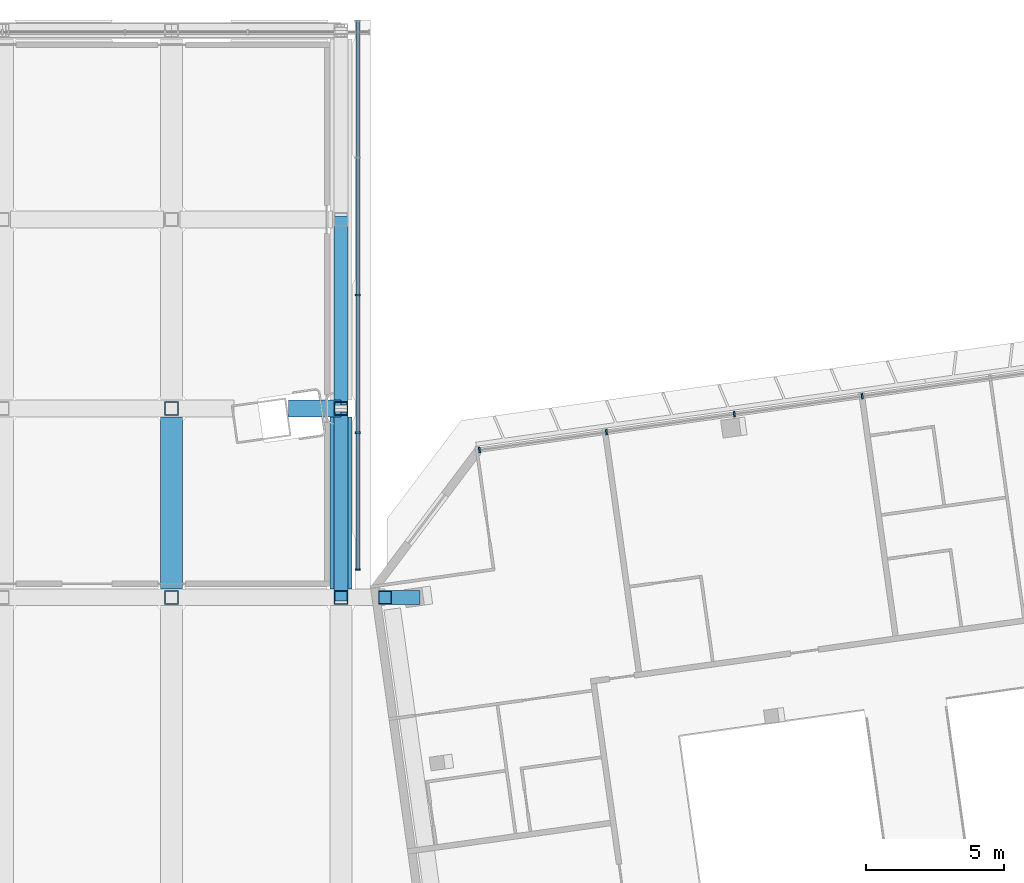
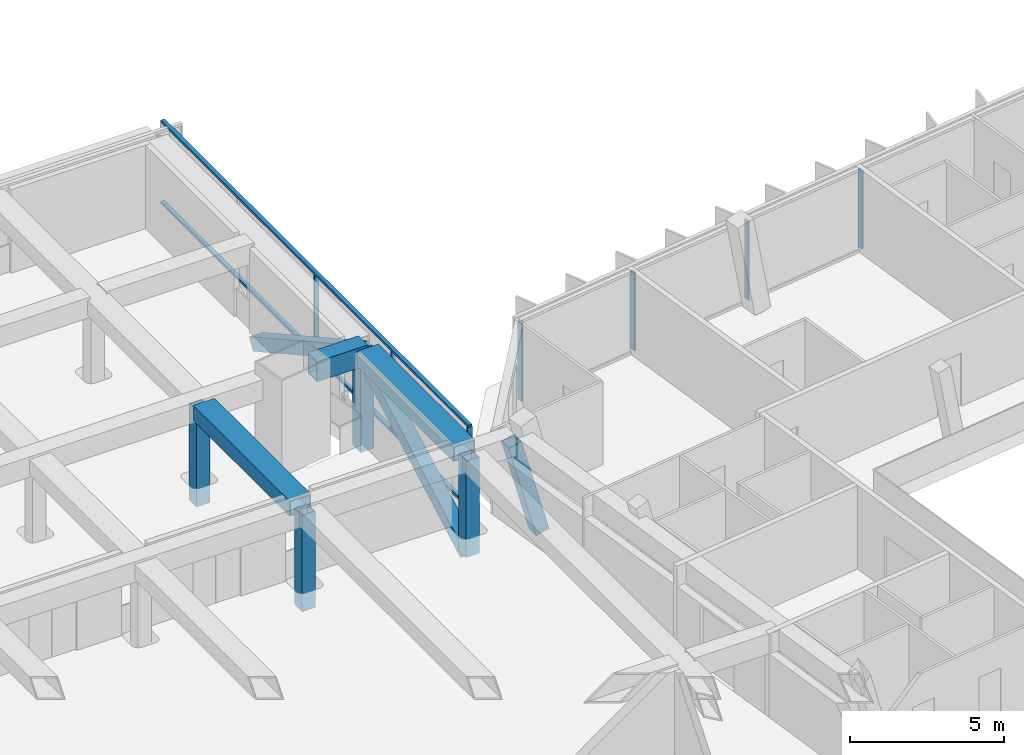
# One storey, part 9 of 28: 19 members, 2 elements without a shape of their own.
"""IFC4 building model written with IfcOpenShell, lengths in metres."""

import ifcopenshell
import ifcopenshell.guid

model = None  # the IFC model being written
_history = None  # IfcOwnerHistory: only IFC2X3 demands one
_inside = {}  # id of a spatial element -> (the spatial element, [elements in it])
_under = {}  # id of a project, library or spatial element -> (it, [spatial elements below it])
_declared = {}  # id of a project -> (the project, [libraries it declares])
_typed = {}  # id of a type object -> (the type object, [elements of that type])
_made_of = {}  # id of a material, layer set ... -> (it, [elements and type objects made of it])


def new_model(schema):
    """Start an empty IFC model of exactly this schema.

    Asked for "IFC4X3", IfcOpenShell would pick the latest addendum, in which some entities
    have other attributes; the version numbers below select the first issue.
    IFC2X3 requires an IfcOwnerHistory on every rooted entity: one is made here for all.
    """
    global model, _history
    if schema == "IFC4X3":
        model = ifcopenshell.file(schema_version=(4, 3, 0, 0))
    else:
        model = ifcopenshell.file(schema=schema)
    _inside.clear()
    _under.clear()
    _declared.clear()
    _typed.clear()
    _made_of.clear()
    _history = None
    if model.schema == "IFC2X3":
        org = make("IfcOrganization", Name="unknown")
        user = make(
            "IfcPersonAndOrganization",
            ThePerson=make("IfcPerson", FamilyName="unknown"),
            TheOrganization=org,
        )
        app = make(
            "IfcApplication",
            ApplicationDeveloper=org,
            Version="unknown",
            ApplicationFullName="unknown",
            ApplicationIdentifier="unknown",
        )
        _history = make(
            "IfcOwnerHistory",
            OwningUser=user,
            OwningApplication=app,
            ChangeAction="ADDED",
            CreationDate=0,
        )
    return model


def make(cls, **values):
    """One entity of the class cls with the attributes given. An attribute that is None is left unset."""
    return model.create_entity(
        cls, **{name: value for name, value in values.items() if value is not None}
    )


def rooted(cls, **values):
    """An entity with a GlobalId (a new one), such as an element, a storey or a relation."""
    return make(cls, GlobalId=ifcopenshell.guid.new(), OwnerHistory=_history, **values)


def si_unit(unit_type, name, prefix=None):
    """IfcSIUnit, for example si_unit("LENGTHUNIT", "METRE", prefix="MILLI")."""
    return make("IfcSIUnit", UnitType=unit_type, Prefix=prefix, Name=name)


def assignment(units):
    """IfcUnitAssignment: the units of a project."""
    return None if units is None else make("IfcUnitAssignment", Units=units)


def point(xyz):
    """IfcCartesianPoint."""
    return None if xyz is None else make("IfcCartesianPoint", Coordinates=xyz)


def direction(xyz):
    """IfcDirection."""
    return None if xyz is None else make("IfcDirection", DirectionRatios=xyz)


def frame(location, z_axis=None, x_axis=None):
    """IfcAxis2Placement3D, a coordinate frame: its origin and axes. An axis left out is left unset."""
    return make(
        "IfcAxis2Placement3D",
        Location=point(location),
        Axis=direction(z_axis),
        RefDirection=direction(x_axis),
    )


def frame_2d(location, x_axis=None):
    """IfcAxis2Placement2D, a coordinate frame in the plane: its origin and x axis."""
    return make(
        "IfcAxis2Placement2D", Location=point(location), RefDirection=direction(x_axis)
    )


def origin():
    """The frame at (0, 0, 0) with its axes left unset."""
    return frame((0.0, 0.0, 0.0))


def origin_2d():
    """The frame at (0, 0) in the plane with its x axis left unset."""
    return frame_2d((0.0, 0.0))


def place(relative_to, where):
    """IfcLocalPlacement: puts the frame where relative to a parent placement (None: the world)."""
    return make(
        "IfcLocalPlacement", PlacementRelTo=relative_to, RelativePlacement=where
    )


def context(
    kind, dimensions, precision=None, world=None, true_north=None, identifier=None
):
    """IfcGeometricRepresentationContext, for example the 3D "Model" context."""
    return make(
        "IfcGeometricRepresentationContext",
        ContextIdentifier=identifier,
        ContextType=kind,
        CoordinateSpaceDimension=dimensions,
        Precision=precision,
        WorldCoordinateSystem=world,
        TrueNorth=true_north,
    )


def subcontext(parent, identifier, kind, view, scale=None):
    """IfcGeometricRepresentationSubContext, for example "Body" below "Model"."""
    return make(
        "IfcGeometricRepresentationSubContext",
        ContextIdentifier=identifier,
        ContextType=kind,
        ParentContext=parent,
        TargetScale=scale,
        TargetView=view,
    )


def project(units=None, contexts=None):
    """IfcProject with its units and contexts."""
    return rooted(
        "IfcProject",
        Name="project",
        RepresentationContexts=contexts,
        UnitsInContext=assignment(units),
    )


def spatial(cls, under=None, at=None, **own):
    """A site, building, storey or space (cls), placed at a placement, below another one or the project."""
    s = rooted(cls, ObjectPlacement=at, **own)
    if under is not None:
        _under.setdefault(under.id(), (under, []))[1].append(s)
    return s


def profile(cls, at=None, kind="AREA", **sizes):
    """A parametric profile (cls). Its sizes go by their IFC names, for example OverallWidth=200.0."""
    return make(cls, ProfileType=kind, Position=at, **sizes)


def rectangle(**sizes):
    """IfcRectangleProfileDef."""
    return profile("IfcRectangleProfileDef", **sizes)


def hollow_rectangle(**sizes):
    """IfcRectangleHollowProfileDef."""
    return profile("IfcRectangleHollowProfileDef", **sizes)


def extrude(swept, where, along, depth):
    """IfcExtrudedAreaSolid: the profile swept, set in the frame where, extruded along a direction by depth."""
    return make(
        "IfcExtrudedAreaSolid",
        SweptArea=swept,
        Position=where,
        ExtrudedDirection=direction(along),
        Depth=depth,
    )


def shape(context_of_items, identifier, shape_type, items):
    """IfcShapeRepresentation: the items that make up one representation, for example the "Body"."""
    return make(
        "IfcShapeRepresentation",
        ContextOfItems=context_of_items,
        RepresentationIdentifier=identifier,
        RepresentationType=shape_type,
        Items=items,
    )


def material(Name=None, Category=None):
    """IfcMaterial."""
    return make("IfcMaterial", Name=Name, Category=Category)


def material_profile(
    of_material, cross_section, Name=None, Category=None, Priority=None
):
    """IfcMaterialProfile: a cross section and its material."""
    return make(
        "IfcMaterialProfile",
        Name=Name,
        Material=of_material,
        Profile=cross_section,
        Priority=Priority,
        Category=Category,
    )


def profile_set(profiles, Name=None, composite=None):
    """IfcMaterialProfileSet."""
    return make(
        "IfcMaterialProfileSet",
        Name=Name,
        MaterialProfiles=profiles,
        CompositeProfile=composite,
    )


def made_of(thing, what):
    """Note that an element or type object is made of a material, layer set ...; save() writes the relation."""
    if what is not None:
        _made_of.setdefault(what.id(), (what, []))[1].append(thing)
    return thing


def type_object(cls, material=None, **own):
    """A type object (cls), such as IfcWallType, which elements share."""
    return made_of(rooted(cls, **own), material)


def element(
    cls,
    number,
    at=None,
    inside=None,
    cuts=None,
    type_object=None,
    material=None,
    context=None,
    identifier="Body",
    shape_type=None,
    held_by="IfcProductDefinitionShape",
    body=None,
    shapes=None,
    **own,
):
    """One element of the class cls, such as IfcWall. Its Tag is "e" and its number.

    at: its placement. inside: the storey or other place that contains it. cuts: it is an
    opening in that element (IfcRelVoidsElement). A single representation is given by context,
    identifier, shape_type and body (its items); several are given by shapes. held_by: the class
    of the entity that holds the representations. save() writes the other relations.
    """
    e = rooted(cls, Tag="e%d" % number, ObjectPlacement=at, **own)
    if body is not None:
        shapes = [shape(context, identifier, shape_type, body)]
    if shapes is not None:
        e.Representation = make(held_by, Representations=shapes)
    if inside is not None:
        _inside.setdefault(inside.id(), (inside, []))[1].append(e)
    if cuts is not None:
        rooted(
            "IfcRelVoidsElement", RelatingBuildingElement=cuts, RelatedOpeningElement=e
        )
    if type_object is not None:
        _typed.setdefault(type_object.id(), (type_object, []))[1].append(e)
    return made_of(e, material)


def aggregate(whole, parts):
    """IfcRelAggregates: a whole, such as a stair, and the parts it consists of."""
    return rooted("IfcRelAggregates", RelatingObject=whole, RelatedObjects=parts)


def save(model, path):
    """Write the relations noted so far, then the file.

    IfcRelAggregates (storeys below a building ...), IfcRelContainedInSpatialStructure (elements
    in a storey), IfcRelDefinesByType, IfcRelAssociatesMaterial and IfcRelDeclares: one each for
    every whole, place, type object, material and project.
    """
    for whole, parts in _under.values():
        aggregate(whole, parts)
    for where, things in _inside.values():
        rooted(
            "IfcRelContainedInSpatialStructure",
            RelatedElements=things,
            RelatingStructure=where,
        )
    for kind, things in _typed.values():
        rooted("IfcRelDefinesByType", RelatedObjects=things, RelatingType=kind)
    for what, things in _made_of.values():
        rooted("IfcRelAssociatesMaterial", RelatedObjects=things, RelatingMaterial=what)
    for by, libraries in _declared.values():
        rooted("IfcRelDeclares", RelatingContext=by, RelatedDefinitions=libraries)
    model.write(path)


model = new_model("IFC4")

# Units and contexts
model_context = context("Model", 3, precision=1e-05, world=origin(), true_north=direction((0.0, 1.0)))
body_context = subcontext(model_context, "Body", "Model", "MODEL_VIEW")
ifc_project = project(units=[si_unit("LENGTHUNIT", "METRE"), si_unit("AREAUNIT", "SQUARE_METRE"), si_unit("VOLUMEUNIT", "CUBIC_METRE"), si_unit("PLANEANGLEUNIT", "RADIAN"), si_unit("MASSUNIT", "GRAM", prefix="KILO")], contexts=[model_context])

# Site, building, storey
site_placement = place(None, origin())
site = spatial("IfcSite", under=ifc_project, at=site_placement, CompositionType="ELEMENT")
building_placement = place(site_placement, origin())
building = spatial("IfcBuilding", under=site, at=building_placement, Name="Mirante Cascada Hotel Towers", CompositionType="ELEMENT")
storey_placement = place(building_placement, frame((0.0, 0.0, 262.2)))
storey = spatial("IfcBuildingStorey", under=building, at=storey_placement, Name="L63", CompositionType="ELEMENT", Elevation=262.2)

# Members
ifc_material_1 = material(Name="Steel ASTM A572 Gr 50", Category="steel")
ifc_material_profile_1 = material_profile(ifc_material_1, hollow_rectangle(XDim=0.6, YDim=0.8, WallThickness=0.04, at=origin_2d()), Name="Box chord 800x600x40 ASTM A572 Gr 50")
ifc_profile_set_1 = profile_set([ifc_material_profile_1], Name="Steel ASTM A572 Gr 50")
member_type_1 = type_object("IfcMemberType", Name="Box chord 800x600x40 ASTM A572 Gr 50", PredefinedType="CHORD", material=ifc_profile_set_1)
for number, where, z_axis, x_axis, name in (
    (1, (6.1257, 10.2142, 2.9), (0.0, 1.0, 0.0), (0.0, 0.0, 1.0), "dchord sky park L64 15"),
    (2, (12.2514, 10.2142, 2.9), (0.0, 1.0, 0.0), (0.0, 0.0, 1.0), "dchord sky park L64 19"),
):
    element("IfcMember", number, at=place(storey_placement, frame(where, z_axis=z_axis, x_axis=x_axis)), inside=storey, type_object=member_type_1, Name=name, PredefinedType="CHORD", context=body_context, shape_type="SweptSolid", body=[
        extrude(hollow_rectangle(XDim=0.6, YDim=0.8, WallThickness=0.04, at=origin_2d()), origin(), (0.0, 0.0, 1.0), 6.2333),
    ])
member_1_placement = place(storey_placement, frame((10.3539, 16.7475, 2.9), z_axis=(1.0, 0.0, 0.0), x_axis=(0.0, 1.0, 0.0)))
element("IfcMember", 3, at=member_1_placement, inside=storey, type_object=member_type_1, Name="dchord sky park L64 31", PredefinedType="CHORD", context=body_context, shape_type="SweptSolid", body=[
    extrude(hollow_rectangle(XDim=0.6, YDim=0.8, WallThickness=0.04, at=origin_2d()), origin(), (0.0, 0.0, 1.0), 1.8975),
])
ifc_material_2 = material(Name="Steel ASTM A572 Gr 50", Category="steel")
ifc_material_profile_2 = material_profile(ifc_material_2, hollow_rectangle(XDim=0.5, YDim=0.5, WallThickness=0.03, at=origin_2d()), Name="Box diagonal 500x500x30 ASTM A572 Gr 50")
ifc_profile_set_2 = profile_set([ifc_material_profile_2], Name="Steel ASTM A572 Gr 50")
member_type_2 = type_object("IfcMemberType", Name="Box diagonal 500x500x30 ASTM A572 Gr 50", PredefinedType="BRACE", material=ifc_profile_set_2)
for number, where, z_axis, x_axis, name in (
    (4, (12.2514, 9.9142, -0.9), (0.0, 0.8739551, 0.4860067), (-1.0, 0.0, 0.0), "ddiag sky park L63 8"),
    (5, (12.2514, 23.5808, -0.9), (0.0, -0.8739551, 0.4860067), (1.0, 0.0, 0.0), "ddiag sky park L63 9"),
):
    element("IfcMember", number, at=place(storey_placement, frame(where, z_axis=z_axis, x_axis=x_axis)), inside=storey, type_object=member_type_2, Name=name, PredefinedType="BRACE", context=body_context, shape_type="SweptSolid", body=[
        extrude(hollow_rectangle(XDim=0.5, YDim=0.5, WallThickness=0.03, at=origin_2d()), origin(), (0.0, 0.0, 1.0), 7.8188),
    ])
ifc_material_3 = material(Name="Steel ASTM A572 Gr 50", Category="steel")
ifc_material_profile_3 = material_profile(ifc_material_3, hollow_rectangle(XDim=0.5, YDim=0.5, WallThickness=0.03, at=origin_2d()), Name="Box post 500x500x30 ASTM A572 Gr 50")
ifc_profile_set_3 = profile_set([ifc_material_profile_3], Name="Steel ASTM A572 Gr 50")
member_type_3 = type_object("IfcMemberType", Name="Box post 500x500x30 ASTM A572 Gr 50", PredefinedType="POST", material=ifc_profile_set_3)
for number, where, z_axis, x_axis, name in (
    (6, (6.1257, 9.9142, -0.9), (0.0, 0.0, 1.0), (1.0, 0.0, 0.0), "dpost sky park L63 25"),
    (7, (6.1257, 16.7475, -0.9), (0.0, 0.0, 1.0), (1.0, 0.0, 0.0), "dpost sky park L63 26"),
    (8, (12.2514, 9.9142, -0.9), (0.0, 0.0, 1.0), (1.0, 0.0, 0.0), "dpost sky park L63 32"),
    (9, (12.2514, 16.7475, -0.9), (0.0, 0.0, 1.0), (1.0, 0.0, 0.0), "dpost sky park L63 33"),
):
    element("IfcMember", number, at=place(storey_placement, frame(where, z_axis=z_axis, x_axis=x_axis)), inside=storey, type_object=member_type_3, Name=name, PredefinedType="POST", context=body_context, shape_type="SweptSolid", body=[
        extrude(hollow_rectangle(XDim=0.5, YDim=0.5, WallThickness=0.03, at=origin_2d()), origin(), (0.0, 0.0, 1.0), 3.8),
    ])
member_2_placement = place(storey_placement, frame((14.8749, 9.9142, -0.9), z_axis=(-0.262275, 0.0, 0.9649932), x_axis=(0.0, -1.0, 0.0)))
element("IfcMember", 10, at=member_2_placement, inside=storey, type_object=member_type_3, Name="dpost sky park L63 41", PredefinedType="POST", context=body_context, shape_type="SweptSolid", body=[
    extrude(hollow_rectangle(XDim=0.5, YDim=0.5, WallThickness=0.03, at=origin_2d()), origin(), (0.0, 0.0, 1.0), 3.9379),
])

# Curtain wall, members
ifc_material_4 = material(Name="Aluminium mullion and transom frame with clear laminated glass", Category="aluminium")
curtain_wall_type_1 = type_object("IfcCurtainWallType", Name="Ribbon curtain wall ECW1", PredefinedType="NOTDEFINED", material=ifc_material_4)
curtain_wall_1_placement = place(storey_placement, origin())
curtain_wall_1 = element("IfcCurtainWall", 11, at=curtain_wall_1_placement, inside=storey, type_object=curtain_wall_type_1, Name="Front ribbon wall T2 L63", PredefinedType="NOTDEFINED")
ifc_material_5 = material(Name="Anodised aluminium extrusion", Category="aluminium")
ifc_material_profile_4 = material_profile(ifc_material_5, rectangle(XDim=0.2, YDim=0.065, at=origin_2d()), Name="ECW1 MULLION 65x200")
ifc_profile_set_4 = profile_set([ifc_material_profile_4], Name="Anodised aluminium extrusion")
member_type_4 = type_object("IfcMemberType", Name="ECW1 mullion 65x200", PredefinedType="MULLION", material=ifc_profile_set_4)
member_3_placement = place(storey_placement, frame((31.0992, 17.1897, 0.1), z_axis=(0.0, 0.0, 1.0), x_axis=(0.1391731, -0.9902681, 0.0)))
member_3 = element("IfcMember", 12, at=member_3_placement, type_object=member_type_4, Name="ECW1 mullion 5", PredefinedType="MULLION", context=body_context, shape_type="SweptSolid", body=[
    extrude(rectangle(XDim=0.2, YDim=0.065, at=origin_2d()), origin(), (0.0, 0.0, 1.0), 3.1),
])
member_4_placement = place(storey_placement, frame((26.475, 16.5398, 0.1), z_axis=(0.0, 0.0, 1.0), x_axis=(0.1391731, -0.9902681, 0.0)))
member_4 = element("IfcMember", 13, at=member_4_placement, type_object=member_type_4, Name="ECW1 mullion 6", PredefinedType="MULLION", context=body_context, shape_type="SweptSolid", body=[
    extrude(rectangle(XDim=0.2, YDim=0.065, at=origin_2d()), origin(), (0.0, 0.0, 1.0), 3.1),
])
member_5_placement = place(storey_placement, frame((21.8507, 15.8899, 0.1), z_axis=(0.0, 0.0, 1.0), x_axis=(0.1391731, -0.9902681, 0.0)))
member_5 = element("IfcMember", 14, at=member_5_placement, type_object=member_type_4, Name="ECW1 mullion 7", PredefinedType="MULLION", context=body_context, shape_type="SweptSolid", body=[
    extrude(rectangle(XDim=0.2, YDim=0.065, at=origin_2d()), origin(), (0.0, 0.0, 1.0), 3.1),
])
member_6_placement = place(storey_placement, frame((17.2587, 15.2446, 0.1), z_axis=(0.0, 0.0, 1.0), x_axis=(0.1391731, -0.9902681, 0.0)))
member_6 = element("IfcMember", 15, at=member_6_placement, type_object=member_type_4, Name="ECW1 mullion 8", PredefinedType="MULLION", context=body_context, shape_type="SweptSolid", body=[
    extrude(rectangle(XDim=0.2, YDim=0.065, at=origin_2d()), origin(), (0.0, 0.0, 1.0), 3.1),
])
aggregate(curtain_wall_1, [member_3, member_4, member_5, member_6])

ifc_material_6 = material(Name="Aluminium mullion and transom frame with clear laminated glass", Category="aluminium")
curtain_wall_type_2 = type_object("IfcCurtainWallType", Name="Sky park deck curtain wall ECW5", PredefinedType="NOTDEFINED", material=ifc_material_6)
curtain_wall_2_placement = place(storey_placement, origin())
curtain_wall_2 = element("IfcCurtainWall", 16, at=curtain_wall_2_placement, inside=storey, type_object=curtain_wall_type_2, Name="Sky park glazing L63 run 2", PredefinedType="NOTDEFINED")
ifc_material_7 = material(Name="Anodised aluminium extrusion", Category="aluminium")
ifc_material_profile_5 = material_profile(ifc_material_7, rectangle(XDim=0.18, YDim=0.06, at=origin_2d()), Name="ECW5 MULLION 60x180")
ifc_profile_set_5 = profile_set([ifc_material_profile_5], Name="Anodised aluminium extrusion")
member_type_5 = type_object("IfcMemberType", Name="ECW5 mullion 60x180", PredefinedType="MULLION", material=ifc_profile_set_5)
member_7_placement = place(storey_placement, frame((12.8642, 10.9275, 0.09), z_axis=(0.0, 0.0, 1.0), x_axis=(-1.0, 0.0, 0.0)))
member_7 = element("IfcMember", 17, at=member_7_placement, type_object=member_type_5, Name="ECW5 mullion 1", PredefinedType="MULLION", context=body_context, shape_type="SweptSolid", body=[
    extrude(rectangle(XDim=0.18, YDim=0.06, at=origin_2d()), origin(), (0.0, 0.0, 1.0), 3.12),
])
member_8_placement = place(storey_placement, frame((12.8642, 15.8725, 0.09), z_axis=(0.0, 0.0, 1.0), x_axis=(-1.0, 0.0, 0.0)))
member_8 = element("IfcMember", 18, at=member_8_placement, type_object=member_type_5, Name="ECW5 mullion 2", PredefinedType="MULLION", context=body_context, shape_type="SweptSolid", body=[
    extrude(rectangle(XDim=0.18, YDim=0.06, at=origin_2d()), origin(), (0.0, 0.0, 1.0), 3.12),
])
member_9_placement = place(storey_placement, frame((12.8642, 20.8475, 0.09), z_axis=(0.0, 0.0, 1.0), x_axis=(-1.0, 0.0, 0.0)))
member_9 = element("IfcMember", 19, at=member_9_placement, type_object=member_type_5, Name="ECW5 mullion 3", PredefinedType="MULLION", context=body_context, shape_type="SweptSolid", body=[
    extrude(rectangle(XDim=0.18, YDim=0.06, at=origin_2d()), origin(), (0.0, 0.0, 1.0), 3.12),
])
ifc_material_8 = material(Name="Anodised aluminium extrusion", Category="aluminium")
ifc_material_profile_6 = material_profile(ifc_material_8, rectangle(XDim=0.15, YDim=0.09, at=origin_2d()), Name="ECW5 TRANSOM 90x150")
ifc_profile_set_6 = profile_set([ifc_material_profile_6], Name="Anodised aluminium extrusion")
member_type_6 = type_object("IfcMemberType", Name="ECW5 transom 90x150", PredefinedType="USERDEFINED", material=ifc_profile_set_6)
member_10_placement = place(storey_placement, frame((12.8642, 10.8975, 0.045), z_axis=(0.0, 1.0, 0.0), x_axis=(-1.0, 0.0, 0.0)))
member_10 = element("IfcMember", 20, at=member_10_placement, type_object=member_type_6, Name="ECW5 sill transom", ObjectType="TRANSOM", PredefinedType="USERDEFINED", context=body_context, shape_type="SweptSolid", body=[
    extrude(rectangle(XDim=0.15, YDim=0.09, at=origin_2d()), origin(), (0.0, 0.0, 1.0), 19.9),
])
member_11_placement = place(storey_placement, frame((12.8642, 10.8975, 3.255), z_axis=(0.0, 1.0, 0.0), x_axis=(-1.0, 0.0, 0.0)))
member_11 = element("IfcMember", 21, at=member_11_placement, type_object=member_type_6, Name="ECW5 head transom", ObjectType="TRANSOM", PredefinedType="USERDEFINED", context=body_context, shape_type="SweptSolid", body=[
    extrude(rectangle(XDim=0.15, YDim=0.09, at=origin_2d()), origin(), (0.0, 0.0, 1.0), 19.9),
])
aggregate(curtain_wall_2, [member_10, member_11, member_7, member_8, member_9])

save(model, "model.ifc")
